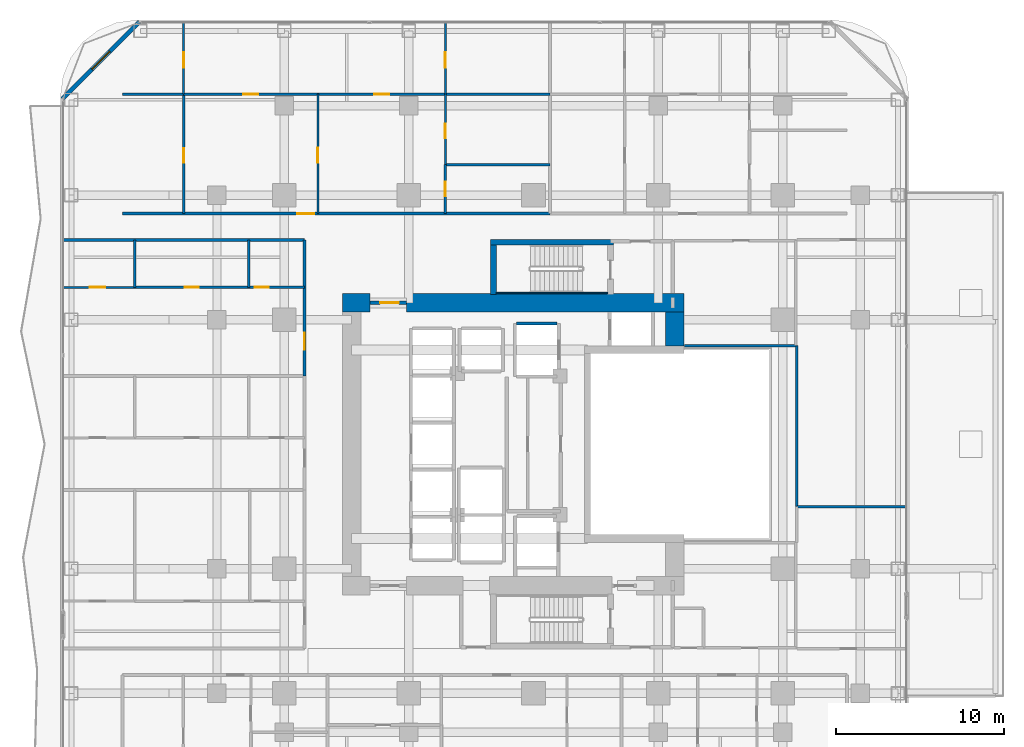
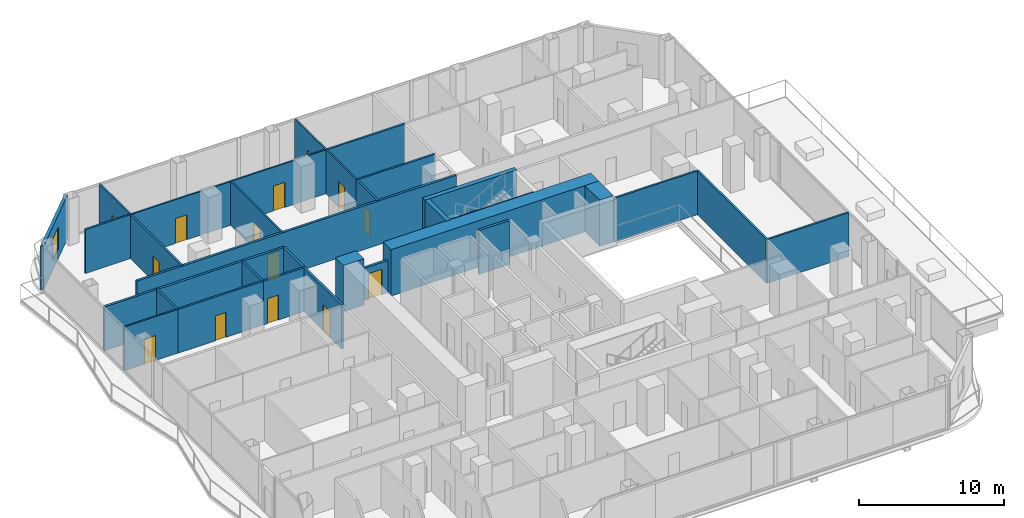
# One storey, part 23 of 29: 31 walls, 14 doors, 1 window, 15 openings.
"""IFC4 building model written with IfcOpenShell, lengths in metres."""

from ifc_helpers import new_model, si_unit, direction, frame, frame_2d, origin, place, context, subcontext, project, spatial, rectangle, extrude, material, layer, layer_set, type_object, element, fill, save


model = new_model("IFC4")

# Units and contexts
model_context = context("Model", 3, precision=1e-05, world=origin(), true_north=direction((0.0, 1.0)))
body_context = subcontext(model_context, "Body", "Model", "MODEL_VIEW")
ifc_project = project(units=[si_unit("LENGTHUNIT", "METRE"), si_unit("AREAUNIT", "SQUARE_METRE"), si_unit("VOLUMEUNIT", "CUBIC_METRE"), si_unit("PLANEANGLEUNIT", "RADIAN"), si_unit("MASSUNIT", "GRAM", prefix="KILO")], contexts=[model_context])

# Site, building, storey
site_placement = place(None, origin())
site = spatial("IfcSite", under=ifc_project, at=site_placement, CompositionType="ELEMENT")
building_placement = place(site_placement, origin())
building = spatial("IfcBuilding", under=site, at=building_placement, Name="Khorvyn Point Tower", CompositionType="ELEMENT")
storey_placement = place(building_placement, frame((0.0, 0.0, 54.0)))
storey = spatial("IfcBuildingStorey", under=building, at=storey_placement, Name="L14", CompositionType="ELEMENT", Elevation=54.0)

# Wall, opening, door
ifc_material_1 = material(Name="Double acoustic gypsum on twin steel stud", Category="steel")
ifc_layer_1 = layer(ifc_material_1, 0.179931640625)
ifc_layer_set_1 = layer_set([ifc_layer_1], Name="Acoustic Double-Stud Apartment Demising Wall 180")
wall_type_1 = type_object("IfcWallType", Name="Acoustic Double-Stud Apartment Demising Wall 180", PredefinedType="PARTITIONING", material=ifc_layer_set_1)
wall_1_placement = place(storey_placement, frame((-24.419921875, 13.699951171875, 0.0), z_axis=(0.0, 0.0, 1.0), x_axis=(1.0, 0.0, 0.0)))
wall_1 = element("IfcWall", 1, at=wall_1_placement, inside=storey, type_object=wall_type_1, Name="Wall", PredefinedType="PARTITIONING", context=body_context, shape_type="SweptSolid", body=[
    extrude(rectangle(XDim=25.39404296875, YDim=0.179931640625, at=frame_2d((12.697021484375, 0.0))), origin(), (0.0, 0.0, 1.0), 3.679931640625),
])
opening_1_placement = place(wall_1_placement, frame((10.400390625, 0.0, 0.0)))
opening_1 = element("IfcOpeningElement", 2, at=opening_1_placement, cuts=wall_1, Name="Opening ID-AP60", PredefinedType="OPENING", context=body_context, shape_type="SweptSolid", body=[
    extrude(rectangle(XDim=1.0, YDim=2.199951171875, at=frame_2d((0.5, 1.10009765625))), frame((0.0, 0.099853515625, 0.0), z_axis=(0.0, -1.0, 0.0), x_axis=(1.0, 0.0, 0.0)), (0.0, 0.0, 1.0), 0.199951171875),
])
ifc_material_2 = material(Name="Engineered hardwood fire-rated leaf", Category="wood")
door_type_1 = type_object("IfcDoorType", Name="Acoustic Solid-Core Timber Apartment Entrance Door 1000x2200", OperationType="NOTDEFINED", PredefinedType="DOOR", material=ifc_material_2)
door_1_placement = place(opening_1_placement, origin())
door_1 = element("IfcDoor", 3, at=door_1_placement, inside=storey, type_object=door_type_1, Name="Door", OperationType="SINGLE_SWING_RIGHT", OverallHeight=2.199951171875, OverallWidth=1.0, PredefinedType="DOOR", context=body_context, shape_type="SweptSolid", body=[
    extrude(rectangle(XDim=1.0, YDim=2.199951171875, at=frame_2d((0.5, 1.10009765625))), frame((0.0, 0.02490234375, 0.0), z_axis=(0.0, -1.0, 0.0), x_axis=(1.0, 0.0, 0.0)), (0.0, 0.0, 1.0), 0.050048828125),
])
fill(opening_1, door_1)

wall_2_placement = place(storey_placement, frame((-13.60009765625, 4.0400390625, 0.0), z_axis=(0.0, 0.0, 1.0), x_axis=(0.0, 1.0, 0.0)))
wall_2 = element("IfcWall", 4, at=wall_2_placement, inside=storey, type_object=wall_type_1, Name="Wall", PredefinedType="PARTITIONING", context=body_context, shape_type="SweptSolid", body=[
    extrude(rectangle(XDim=8.080078125, YDim=0.179931640625, at=frame_2d((4.0400390625, 0.0))), origin(), (0.0, 0.0, 1.0), 3.679931640625),
])
opening_2_placement = place(wall_2_placement, frame((1.583251953125, 0.0, 0.0)))
opening_2 = element("IfcOpeningElement", 5, at=opening_2_placement, cuts=wall_2, Name="Opening ID-AP60", PredefinedType="OPENING", context=body_context, shape_type="SweptSolid", body=[
    extrude(rectangle(XDim=1.0, YDim=2.199951171875, at=frame_2d((0.5, 1.10009765625))), frame((0.0, 0.099853515625, 0.0), z_axis=(0.0, -1.0, 0.0), x_axis=(1.0, 0.0, 0.0)), (0.0, 0.0, 1.0), 0.199951171875),
])
door_2_placement = place(opening_2_placement, origin())
door_2 = element("IfcDoor", 6, at=door_2_placement, inside=storey, type_object=door_type_1, Name="Door", OperationType="SINGLE_SWING_RIGHT", OverallHeight=2.199951171875, OverallWidth=1.0, PredefinedType="DOOR", context=body_context, shape_type="SweptSolid", body=[
    extrude(rectangle(XDim=1.0, YDim=2.199951171875, at=frame_2d((0.5, 1.10009765625))), frame((0.0, 0.02490234375, 0.0), z_axis=(0.0, -1.0, 0.0), x_axis=(1.0, 0.0, 0.0)), (0.0, 0.0, 1.0), 0.050048828125),
])
fill(opening_2, door_2)

# Wall
wall_3_placement = place(storey_placement, frame((-27.929931640625, 12.1201171875, 0.0), z_axis=(0.0, 0.0, 1.0), x_axis=(1.0, 0.0, 0.0)))
element("IfcWall", 7, at=wall_3_placement, inside=storey, type_object=wall_type_1, Name="Wall", PredefinedType="PARTITIONING", context=body_context, shape_type="SweptSolid", body=[
    extrude(rectangle(XDim=14.329833984375, YDim=0.179931640625, at=frame_2d((7.1650390625, 0.0))), origin(), (0.0, 0.0, 1.0), 3.679931640625),
])

# Wall, opening, window
ifc_material_3 = material(Name="Pale anodised aluminium rainscreen on steel stud", Category="steel")
ifc_layer_2 = layer(ifc_material_3, 0.239990234375)
ifc_layer_set_2 = layer_set([ifc_layer_2], Name="Anodised Aluminium Insulated Corner Spandrel Wall 240")
wall_type_2 = type_object("IfcWallType", Name="Anodised Aluminium Insulated Corner Spandrel Wall 240", PredefinedType="SOLIDWALL", material=ifc_layer_set_2)
wall_4_placement = place(storey_placement, frame((-27.992431640625, 20.507568359375, 0.0), z_axis=(0.0, 0.0, 1.0), x_axis=(0.707106781187, 0.707106781187, 0.0)))
wall_4 = element("IfcWall", 8, at=wall_4_placement, inside=storey, type_object=wall_type_2, Name="L14 Rounded Corner Wall NW", PredefinedType="SOLIDWALL", context=body_context, shape_type="SweptSolid", body=[
    extrude(rectangle(XDim=6.48388671875, YDim=0.239990234375, at=frame_2d((3.241943359375, 0.0))), origin(), (0.0, 0.0, 1.0), 3.679931640625),
])
opening_3_placement = place(wall_4_placement, frame((2.491943359375, 0.0, 0.800048828125)))
opening_3 = element("IfcOpeningElement", 9, at=opening_3_placement, cuts=wall_4, Name="Opening WN-1518", PredefinedType="OPENING", context=body_context, shape_type="SweptSolid", body=[
    extrude(rectangle(XDim=1.5, YDim=1.85009765625, at=frame_2d((0.75, 0.925048828125))), frame((0.0, 0.1298828125, 0.0), z_axis=(0.0, -1.0, 0.0), x_axis=(1.0, 0.0, 0.0)), (0.0, 0.0, 1.0), 0.260009765625),
])
ifc_material_4 = material(Name="Anodised aluminium 6063-T6 and laminated Low-E glass", Category="aluminium")
window_type = type_object("IfcWindowType", Name="Anodised Aluminium Rounded-Corner Panoramic Window 1500x1850", PartitioningType="SINGLE_PANEL", PredefinedType="WINDOW", material=ifc_material_4)
window_placement = place(opening_3_placement, origin())
window = element("IfcWindow", 10, at=window_placement, inside=storey, type_object=window_type, Name="L14 Corner Panoramic Window NW", OverallHeight=1.85009765625, OverallWidth=1.5, PartitioningType="SINGLE_PANEL", PredefinedType="WINDOW", context=body_context, shape_type="SweptSolid", body=[
    extrude(rectangle(XDim=1.5, YDim=1.85009765625, at=frame_2d((0.75, 0.925048828125))), frame((0.0, 0.030029296875, 0.0), z_axis=(0.0, -1.0, 0.0), x_axis=(1.0, 0.0, 0.0)), (0.0, 0.0, 1.0), 0.06005859375),
])
fill(opening_3, window)

# Wall, opening, door
ifc_material_5 = material(Name="Concrete C40/50", Category="concrete")
ifc_layer_3 = layer(ifc_material_5, 0.199951171875)
ifc_layer_set_3 = layer_set([ifc_layer_3], Name="Concrete C40/50 Fire-Lobby Compartment Wall 200")
wall_type_3 = type_object("IfcWallType", Name="Concrete C40/50 Fire-Lobby Compartment Wall 200", PredefinedType="SOLIDWALL", material=ifc_layer_set_3)
wall_5_placement = place(storey_placement, frame((-9.699951171875, 8.39990234375, 0.0), z_axis=(0.0, 0.0, 1.0), x_axis=(1.0, 0.0, 0.0)))
wall_5 = element("IfcWall", 11, at=wall_5_placement, inside=storey, type_object=wall_type_3, Name="Wall", PredefinedType="SOLIDWALL", context=body_context, shape_type="SweptSolid", body=[
    extrude(rectangle(XDim=2.14990234375, YDim=0.199951171875, at=frame_2d((1.074951171875, 0.0))), origin(), (0.0, 0.0, 1.0), 2.719970703125),
])
opening_4_placement = place(wall_5_placement, frame((0.597900390625, 0.0, 0.0)))
opening_4 = element("IfcOpeningElement", 12, at=opening_4_placement, cuts=wall_5, Name="Opening ID-FL90", PredefinedType="OPENING", context=body_context, shape_type="SweptSolid", body=[
    extrude(rectangle(XDim=1.10009765625, YDim=2.14990234375, at=frame_2d((0.550048828125, 1.074951171875))), frame((0.0, 0.10986328125, 0.0), z_axis=(0.0, -1.0, 0.0), x_axis=(1.0, 0.0, 0.0)), (0.0, 0.0, 1.0), 0.219970703125),
])
ifc_material_6 = material(Name="Galvanised powder-coated steel", Category="steel")
door_type_2 = type_object("IfcDoorType", Name="Fire-Rated Steel Lobby and Stair Door 1100x2150", OperationType="NOTDEFINED", PredefinedType="DOOR", material=ifc_material_6)
door_3_placement = place(opening_4_placement, origin())
door_3 = element("IfcDoor", 13, at=door_3_placement, inside=storey, type_object=door_type_2, Name="Door", OperationType="SINGLE_SWING_LEFT", OverallHeight=2.14990234375, OverallWidth=1.10009765625, PredefinedType="DOOR", context=body_context, shape_type="SweptSolid", body=[
    extrude(rectangle(XDim=1.10009765625, YDim=2.14990234375, at=frame_2d((0.550048828125, 1.074951171875))), frame((0.0, 0.02490234375, 0.0), z_axis=(0.0, -1.0, 0.0), x_axis=(1.0, 0.0, 0.0)), (0.0, 0.0, 1.0), 0.050048828125),
])
fill(opening_4, door_3)

# Walls
ifc_layer_4 = layer(ifc_material_5, 0.25)
ifc_layer_set_4 = layer_set([ifc_layer_4], Name="Concrete C40/50 Stair Inner Cheek Structural Wall 250")
wall_type_4 = type_object("IfcWallType", Name="Concrete C40/50 Stair Inner Cheek Structural Wall 250", PredefinedType="SHEAR", material=ifc_layer_set_4)
wall_6_placement = place(storey_placement, frame((-2.199951171875, 8.987548828125, 0.0), z_axis=(0.0, 0.0, 1.0), x_axis=(1.0, 0.0, 0.0)))
element("IfcWall", 14, at=wall_6_placement, inside=storey, type_object=wall_type_4, Name="Wall", PredefinedType="SHEAR", context=body_context, shape_type="SweptSolid", body=[
    extrude(rectangle(XDim=6.599853515625, YDim=0.074951171875, at=frame_2d((3.2998046875, 0.0))), origin(), (0.0, 0.0, 1.0), 3.89990234375),
])
ifc_layer_5 = layer(ifc_material_5, 0.35009765625)
ifc_layer_set_5 = layer_set([ifc_layer_5], Name="Concrete C40/50 Stair Shaft Structural Wall 350")
wall_type_5 = type_object("IfcWallType", Name="Concrete C40/50 Stair Shaft Structural Wall 350", PredefinedType="SHEAR", material=ifc_layer_set_5)
wall_7_placement = place(storey_placement, frame((-2.554931640625, 12.0, 0.0), z_axis=(0.0, 0.0, 1.0), x_axis=(1.0, 0.0, 0.0)))
element("IfcWall", 15, at=wall_7_placement, inside=storey, type_object=wall_type_5, Name="L14 ST-02 North Shaft Wall", PredefinedType="SHEAR", context=body_context, shape_type="SweptSolid", body=[
    extrude(rectangle(XDim=7.309814453125, YDim=0.35009765625, at=frame_2d((3.65478515625, 0.0))), origin(), (0.0, 0.0, 1.0), 3.89990234375),
])
wall_8_placement = place(storey_placement, frame((-2.3798828125, 8.89990234375, 0.0), z_axis=(0.0, 0.0, 1.0), x_axis=(0.0, 1.0, 0.0)))
element("IfcWall", 16, at=wall_8_placement, inside=storey, type_object=wall_type_5, Name="L14 ST-02 West Shaft Wall", PredefinedType="SHEAR", context=body_context, shape_type="SweptSolid", body=[
    extrude(rectangle(XDim=2.925048828125, YDim=0.35009765625, at=frame_2d((1.46240234375, 0.0))), origin(), (0.0, 0.0, 1.0), 3.89990234375),
])
ifc_layer_6 = layer(ifc_material_5, 0.199951171875)
ifc_layer_set_6 = layer_set([ifc_layer_6], Name="Concrete C40/50 Structural Hoistway and Stair Shaft Wall 200")
wall_type_6 = type_object("IfcWallType", Name="Concrete C40/50 Structural Hoistway and Stair Shaft Wall 200", PredefinedType="SHEAR", material=ifc_layer_set_6)
wall_9_placement = place(storey_placement, frame((-1.0, 7.175048828125, 0.0), z_axis=(0.0, 0.0, 1.0), x_axis=(1.0, 0.0, 0.0)))
element("IfcWall", 17, at=wall_9_placement, inside=storey, type_object=wall_type_6, Name="Wall", PredefinedType="SHEAR", context=body_context, shape_type="SweptSolid", body=[
    extrude(rectangle(XDim=2.39990234375, YDim=0.199951171875, at=frame_2d((1.199951171875, 0.0))), origin(), (0.0, 0.0, 1.0), 3.679931640625),
])
ifc_material_7 = material(Name="Concrete C50/60", Category="concrete")
ifc_layer_7 = layer(ifc_material_7, 1.10009765625)
ifc_layer_set_7 = layer_set([ifc_layer_7], Name="Concrete C50/60 Core Shear Wall 1100")
wall_type_7 = type_object("IfcWallType", Name="Concrete C50/60 Core Shear Wall 1100", PredefinedType="SHEAR", material=ifc_layer_set_7)
wall_10_placement = place(storey_placement, frame((-11.35009765625, 8.39990234375, 0.0), z_axis=(0.0, 0.0, 1.0), x_axis=(1.0, 0.0, 0.0)))
element("IfcWall", 18, at=wall_10_placement, inside=storey, type_object=wall_type_7, Name="Wall", PredefinedType="SHEAR", context=body_context, shape_type="SweptSolid", body=[
    extrude(rectangle(XDim=1.650146484375, YDim=1.10009765625, at=frame_2d((0.8251953125, 0.0))), origin(), (0.0, 0.0, 1.0), 3.89990234375),
])
wall_11_placement = place(storey_placement, frame((-7.550048828125, 8.39990234375, 0.0), z_axis=(0.0, 0.0, 1.0), x_axis=(1.0, 0.0, 0.0)))
element("IfcWall", 19, at=wall_11_placement, inside=storey, type_object=wall_type_7, Name="Wall", PredefinedType="SHEAR", context=body_context, shape_type="SweptSolid", body=[
    extrude(rectangle(XDim=16.5, YDim=1.10009765625, at=frame_2d((8.25, 0.0))), origin(), (0.0, 0.0, 1.0), 3.89990234375),
])
wall_12_placement = place(storey_placement, frame((8.39990234375, 5.824951171875, 0.0), z_axis=(0.0, 0.0, 1.0), x_axis=(0.0, 1.0, 0.0)))
element("IfcWall", 20, at=wall_12_placement, inside=storey, type_object=wall_type_7, Name="Wall", PredefinedType="SHEAR", context=body_context, shape_type="SweptSolid", body=[
    extrude(rectangle(XDim=2.025146484375, YDim=1.10009765625, at=frame_2d((1.0126953125, 0.0))), origin(), (0.0, 0.0, 1.0), 3.89990234375),
])

# Wall, opening, door
ifc_material_8 = material(Name="Gypsum plasterboard on steel stud", Category="steel")
ifc_layer_8 = layer(ifc_material_8, 0.1201171875)
ifc_layer_set_8 = layer_set([ifc_layer_8], Name="Gypsum Acoustic Stud Room Partition Wall 120")
wall_type_8 = type_object("IfcWallType", Name="Gypsum Acoustic Stud Room Partition Wall 120", PredefinedType="PARTITIONING", material=ifc_layer_set_8)
wall_13_placement = place(storey_placement, frame((-20.77587890625, 20.7900390625, 0.0), z_axis=(0.0, 0.0, 1.0), x_axis=(1.0, 0.0, 0.0)))
wall_13 = element("IfcWall", 21, at=wall_13_placement, inside=storey, type_object=wall_type_8, Name="Wall", PredefinedType="PARTITIONING", context=body_context, shape_type="SweptSolid", body=[
    extrude(rectangle(XDim=7.970947265625, YDim=0.1201171875, at=frame_2d((3.9853515625, 0.0))), origin(), (0.0, 0.0, 1.0), 3.679931640625),
])
opening_5_placement = place(wall_13_placement, frame((3.535400390625, 0.0, 0.0)))
opening_5 = element("IfcOpeningElement", 22, at=opening_5_placement, cuts=wall_13, Name="Opening ID-RM90", PredefinedType="OPENING", context=body_context, shape_type="SweptSolid", body=[
    extrude(rectangle(XDim=0.89990234375, YDim=2.10009765625, at=frame_2d((0.449951171875, 1.050048828125))), frame((0.0, 0.070068359375, 0.0), z_axis=(0.0, -1.0, 0.0), x_axis=(1.0, 0.0, 0.0)), (0.0, 0.0, 1.0), 0.14013671875),
])
ifc_material_9 = material(Name="Engineered oak veneer timber", Category="wood")
door_type_3 = type_object("IfcDoorType", Name="Flush Engineered Timber Room Door 900x2100", OperationType="NOTDEFINED", PredefinedType="DOOR", material=ifc_material_9)
door_4_placement = place(opening_5_placement, origin())
door_4 = element("IfcDoor", 23, at=door_4_placement, inside=storey, type_object=door_type_3, Name="Door", OperationType="SINGLE_SWING_LEFT", OverallHeight=2.10009765625, OverallWidth=0.89990234375, PredefinedType="DOOR", context=body_context, shape_type="SweptSolid", body=[
    extrude(rectangle(XDim=0.89990234375, YDim=2.10009765625, at=frame_2d((0.449951171875, 1.050048828125))), frame((0.0, 0.02490234375, 0.0), z_axis=(0.0, -1.0, 0.0), x_axis=(1.0, 0.0, 0.0)), (0.0, 0.0, 1.0), 0.050048828125),
])
fill(opening_5, door_4)

wall_14_placement = place(storey_placement, frame((-12.804931640625, 20.7900390625, 0.0), z_axis=(0.0, 0.0, 1.0), x_axis=(1.0, 0.0, 0.0)))
wall_14 = element("IfcWall", 24, at=wall_14_placement, inside=storey, type_object=wall_type_8, Name="Wall", PredefinedType="PARTITIONING", context=body_context, shape_type="SweptSolid", body=[
    extrude(rectangle(XDim=7.572998046875, YDim=0.1201171875, at=frame_2d((3.78662109375, 0.0))), origin(), (0.0, 0.0, 1.0), 3.679931640625),
])
opening_6_placement = place(wall_14_placement, frame((3.33642578125, 0.0, 0.0)))
opening_6 = element("IfcOpeningElement", 25, at=opening_6_placement, cuts=wall_14, Name="Opening ID-RM90", PredefinedType="OPENING", context=body_context, shape_type="SweptSolid", body=[
    extrude(rectangle(XDim=0.89990234375, YDim=2.10009765625, at=frame_2d((0.449951171875, 1.050048828125))), frame((0.0, 0.070068359375, 0.0), z_axis=(0.0, -1.0, 0.0), x_axis=(1.0, 0.0, 0.0)), (0.0, 0.0, 1.0), 0.14013671875),
])
door_5_placement = place(opening_6_placement, origin())
door_5 = element("IfcDoor", 26, at=door_5_placement, inside=storey, type_object=door_type_3, Name="Door", OperationType="SINGLE_SWING_RIGHT", OverallHeight=2.10009765625, OverallWidth=0.89990234375, PredefinedType="DOOR", context=body_context, shape_type="SweptSolid", body=[
    extrude(rectangle(XDim=0.89990234375, YDim=2.10009765625, at=frame_2d((0.449951171875, 1.050048828125))), frame((0.0, 0.02490234375, 0.0), z_axis=(0.0, -1.0, 0.0), x_axis=(1.0, 0.0, 0.0)), (0.0, 0.0, 1.0), 0.050048828125),
])
fill(opening_6, door_5)

wall_15_placement = place(storey_placement, frame((-12.804931640625, 13.699951171875, 0.0), z_axis=(0.0, 0.0, 1.0), x_axis=(0.0, 1.0, 0.0)))
wall_15 = element("IfcWall", 27, at=wall_15_placement, inside=storey, type_object=wall_type_8, Name="Wall", PredefinedType="PARTITIONING", context=body_context, shape_type="SweptSolid", body=[
    extrude(rectangle(XDim=7.090087890625, YDim=0.1201171875, at=frame_2d((3.544921875, 0.0))), origin(), (0.0, 0.0, 1.0), 3.679931640625),
])
opening_7_placement = place(wall_15_placement, frame((3.006103515625, 0.0, 0.0)))
opening_7 = element("IfcOpeningElement", 28, at=opening_7_placement, cuts=wall_15, Name="Opening ID-RM90", PredefinedType="OPENING", context=body_context, shape_type="SweptSolid", body=[
    extrude(rectangle(XDim=0.89990234375, YDim=2.10009765625, at=frame_2d((0.449951171875, 1.050048828125))), frame((0.0, 0.070068359375, 0.0), z_axis=(0.0, -1.0, 0.0), x_axis=(1.0, 0.0, 0.0)), (0.0, 0.0, 1.0), 0.14013671875),
])
door_6_placement = place(opening_7_placement, origin())
door_6 = element("IfcDoor", 29, at=door_6_placement, inside=storey, type_object=door_type_3, Name="Door", OperationType="SINGLE_SWING_LEFT", OverallHeight=2.10009765625, OverallWidth=0.89990234375, PredefinedType="DOOR", context=body_context, shape_type="SweptSolid", body=[
    extrude(rectangle(XDim=0.89990234375, YDim=2.10009765625, at=frame_2d((0.449951171875, 1.050048828125))), frame((0.0, 0.02490234375, 0.0), z_axis=(0.0, -1.0, 0.0), x_axis=(1.0, 0.0, 0.0)), (0.0, 0.0, 1.0), 0.050048828125),
])
fill(opening_7, door_6)

wall_16_placement = place(storey_placement, frame((-20.77587890625, 20.7900390625, 0.0), z_axis=(0.0, 0.0, 1.0), x_axis=(0.0, 1.0, 0.0)))
wall_16 = element("IfcWall", 30, at=wall_16_placement, inside=storey, type_object=wall_type_8, Name="Wall", PredefinedType="PARTITIONING", context=body_context, shape_type="SweptSolid", body=[
    extrude(rectangle(XDim=4.239990234375, YDim=0.1201171875, at=frame_2d((2.1201171875, 0.0))), origin(), (0.0, 0.0, 1.0), 3.679931640625),
])
opening_8_placement = place(wall_16_placement, frame((1.581298828125, 0.0, 0.0)))
opening_8 = element("IfcOpeningElement", 31, at=opening_8_placement, cuts=wall_16, Name="Opening ID-RM90", PredefinedType="OPENING", context=body_context, shape_type="SweptSolid", body=[
    extrude(rectangle(XDim=0.89990234375, YDim=2.10009765625, at=frame_2d((0.449951171875, 1.050048828125))), frame((0.0, 0.070068359375, 0.0), z_axis=(0.0, -1.0, 0.0), x_axis=(1.0, 0.0, 0.0)), (0.0, 0.0, 1.0), 0.14013671875),
])
door_7_placement = place(opening_8_placement, origin())
door_7 = element("IfcDoor", 32, at=door_7_placement, inside=storey, type_object=door_type_3, Name="Door", OperationType="SINGLE_SWING_LEFT", OverallHeight=2.10009765625, OverallWidth=0.89990234375, PredefinedType="DOOR", context=body_context, shape_type="SweptSolid", body=[
    extrude(rectangle(XDim=0.89990234375, YDim=2.10009765625, at=frame_2d((0.449951171875, 1.050048828125))), frame((0.0, 0.02490234375, 0.0), z_axis=(0.0, -1.0, 0.0), x_axis=(1.0, 0.0, 0.0)), (0.0, 0.0, 1.0), 0.050048828125),
])
fill(opening_8, door_7)

wall_17_placement = place(storey_placement, frame((-5.23193359375, 16.60693359375, 0.0), z_axis=(0.0, 0.0, 1.0), x_axis=(0.0, 1.0, 0.0)))
wall_17 = element("IfcWall", 33, at=wall_17_placement, inside=storey, type_object=wall_type_8, Name="Wall", PredefinedType="PARTITIONING", context=body_context, shape_type="SweptSolid", body=[
    extrude(rectangle(XDim=4.18310546875, YDim=0.1201171875, at=frame_2d((2.091552734375, 0.0))), origin(), (0.0, 0.0, 1.0), 3.679931640625),
])
opening_9_placement = place(wall_17_placement, frame((1.577880859375, 0.0, 0.0)))
opening_9 = element("IfcOpeningElement", 34, at=opening_9_placement, cuts=wall_17, Name="Opening ID-WC85", PredefinedType="OPENING", context=body_context, shape_type="SweptSolid", body=[
    extrude(rectangle(XDim=0.85009765625, YDim=2.10009765625, at=frame_2d((0.425048828125, 1.050048828125))), frame((0.0, 0.070068359375, 0.0), z_axis=(0.0, -1.0, 0.0), x_axis=(1.0, 0.0, 0.0)), (0.0, 0.0, 1.0), 0.14013671875),
])
ifc_material_10 = material(Name="High-pressure laminate on moisture-resistant core", Category="wood")
door_type_4 = type_object("IfcDoorType", Name="Moisture-Resistant Accessible Washroom Door 850x2100", OperationType="NOTDEFINED", PredefinedType="DOOR", material=ifc_material_10)
door_8_placement = place(opening_9_placement, origin())
door_8 = element("IfcDoor", 35, at=door_8_placement, inside=storey, type_object=door_type_4, Name="Door", OperationType="SINGLE_SWING_LEFT", OverallHeight=2.10009765625, OverallWidth=0.85009765625, PredefinedType="DOOR", context=body_context, shape_type="SweptSolid", body=[
    extrude(rectangle(XDim=0.85009765625, YDim=2.10009765625, at=frame_2d((0.425048828125, 1.050048828125))), frame((0.0, 0.02490234375, 0.0), z_axis=(0.0, -1.0, 0.0), x_axis=(1.0, 0.0, 0.0)), (0.0, 0.0, 1.0), 0.050048828125),
])
fill(opening_9, door_8)

wall_18_placement = place(storey_placement, frame((-5.23193359375, 20.7900390625, 0.0), z_axis=(0.0, 0.0, 1.0), x_axis=(0.0, 1.0, 0.0)))
wall_18 = element("IfcWall", 36, at=wall_18_placement, inside=storey, type_object=wall_type_8, Name="Wall", PredefinedType="PARTITIONING", context=body_context, shape_type="SweptSolid", body=[
    extrude(rectangle(XDim=4.239990234375, YDim=0.1201171875, at=frame_2d((2.1201171875, 0.0))), origin(), (0.0, 0.0, 1.0), 3.679931640625),
])
opening_10_placement = place(wall_18_placement, frame((1.581298828125, 0.0, 0.0)))
opening_10 = element("IfcOpeningElement", 37, at=opening_10_placement, cuts=wall_18, Name="Opening ID-RM90", PredefinedType="OPENING", context=body_context, shape_type="SweptSolid", body=[
    extrude(rectangle(XDim=0.89990234375, YDim=2.10009765625, at=frame_2d((0.449951171875, 1.050048828125))), frame((0.0, 0.070068359375, 0.0), z_axis=(0.0, -1.0, 0.0), x_axis=(1.0, 0.0, 0.0)), (0.0, 0.0, 1.0), 0.14013671875),
])
door_9_placement = place(opening_10_placement, origin())
door_9 = element("IfcDoor", 38, at=door_9_placement, inside=storey, type_object=door_type_3, Name="Door", OperationType="SINGLE_SWING_RIGHT", OverallHeight=2.10009765625, OverallWidth=0.89990234375, PredefinedType="DOOR", context=body_context, shape_type="SweptSolid", body=[
    extrude(rectangle(XDim=0.89990234375, YDim=2.10009765625, at=frame_2d((0.449951171875, 1.050048828125))), frame((0.0, 0.02490234375, 0.0), z_axis=(0.0, -1.0, 0.0), x_axis=(1.0, 0.0, 0.0)), (0.0, 0.0, 1.0), 0.050048828125),
])
fill(opening_10, door_9)

wall_19_placement = place(storey_placement, frame((-27.929931640625, 9.320068359375, 0.0), z_axis=(0.0, 0.0, 1.0), x_axis=(1.0, 0.0, 0.0)))
wall_19 = element("IfcWall", 39, at=wall_19_placement, inside=storey, type_object=wall_type_8, Name="Wall", PredefinedType="PARTITIONING", context=body_context, shape_type="SweptSolid", body=[
    extrude(rectangle(XDim=4.239990234375, YDim=0.1201171875, at=frame_2d((2.1201171875, 0.0))), origin(), (0.0, 0.0, 1.0), 3.679931640625),
])
opening_11_placement = place(wall_19_placement, frame((1.581298828125, 0.0, 0.0)))
opening_11 = element("IfcOpeningElement", 40, at=opening_11_placement, cuts=wall_19, Name="Opening ID-RM90", PredefinedType="OPENING", context=body_context, shape_type="SweptSolid", body=[
    extrude(rectangle(XDim=0.89990234375, YDim=2.10009765625, at=frame_2d((0.449951171875, 1.050048828125))), frame((0.0, 0.070068359375, 0.0), z_axis=(0.0, -1.0, 0.0), x_axis=(1.0, 0.0, 0.0)), (0.0, 0.0, 1.0), 0.14013671875),
])
door_10_placement = place(opening_11_placement, origin())
door_10 = element("IfcDoor", 41, at=door_10_placement, inside=storey, type_object=door_type_3, Name="Door", OperationType="SINGLE_SWING_LEFT", OverallHeight=2.10009765625, OverallWidth=0.89990234375, PredefinedType="DOOR", context=body_context, shape_type="SweptSolid", body=[
    extrude(rectangle(XDim=0.89990234375, YDim=2.10009765625, at=frame_2d((0.449951171875, 1.050048828125))), frame((0.0, 0.02490234375, 0.0), z_axis=(0.0, -1.0, 0.0), x_axis=(1.0, 0.0, 0.0)), (0.0, 0.0, 1.0), 0.050048828125),
])
fill(opening_11, door_10)

ifc_material_11 = material(Name="Moisture-resistant gypsum and cement board", Category="gypsum")
ifc_layer_9 = layer(ifc_material_11, 0.14990234375)
ifc_layer_set_9 = layer_set([ifc_layer_9], Name="Moisture-Resistant Wet-Room Partition Wall 150")
wall_type_9 = type_object("IfcWallType", Name="Moisture-Resistant Wet-Room Partition Wall 150", PredefinedType="PARTITIONING", material=ifc_layer_set_9)
wall_20_placement = place(storey_placement, frame((-20.77587890625, 13.699951171875, 0.0), z_axis=(0.0, 0.0, 1.0), x_axis=(0.0, 1.0, 0.0)))
wall_20 = element("IfcWall", 42, at=wall_20_placement, inside=storey, type_object=wall_type_9, Name="Wall", PredefinedType="PARTITIONING", context=body_context, shape_type="SweptSolid", body=[
    extrude(rectangle(XDim=7.090087890625, YDim=0.14990234375, at=frame_2d((3.544921875, 0.0))), origin(), (0.0, 0.0, 1.0), 3.679931640625),
])
opening_12_placement = place(wall_20_placement, frame((3.0302734375, 0.0, 0.0)))
opening_12 = element("IfcOpeningElement", 43, at=opening_12_placement, cuts=wall_20, Name="Opening ID-WC85", PredefinedType="OPENING", context=body_context, shape_type="SweptSolid", body=[
    extrude(rectangle(XDim=0.85009765625, YDim=2.10009765625, at=frame_2d((0.425048828125, 1.050048828125))), frame((0.0, 0.0849609375, 0.0), z_axis=(0.0, -1.0, 0.0), x_axis=(1.0, 0.0, 0.0)), (0.0, 0.0, 1.0), 0.169921875),
])
door_11_placement = place(opening_12_placement, origin())
door_11 = element("IfcDoor", 44, at=door_11_placement, inside=storey, type_object=door_type_4, Name="Door", OperationType="SINGLE_SWING_RIGHT", OverallHeight=2.10009765625, OverallWidth=0.85009765625, PredefinedType="DOOR", context=body_context, shape_type="SweptSolid", body=[
    extrude(rectangle(XDim=0.85009765625, YDim=2.10009765625, at=frame_2d((0.425048828125, 1.050048828125))), frame((0.0, 0.02490234375, 0.0), z_axis=(0.0, -1.0, 0.0), x_axis=(1.0, 0.0, 0.0)), (0.0, 0.0, 1.0), 0.050048828125),
])
fill(opening_12, door_11)

wall_21_placement = place(storey_placement, frame((-5.23193359375, 13.699951171875, 0.0), z_axis=(0.0, 0.0, 1.0), x_axis=(0.0, 1.0, 0.0)))
wall_21 = element("IfcWall", 45, at=wall_21_placement, inside=storey, type_object=wall_type_9, Name="Wall", PredefinedType="PARTITIONING", context=body_context, shape_type="SweptSolid", body=[
    extrude(rectangle(XDim=2.906982421875, YDim=0.14990234375, at=frame_2d((1.45361328125, 0.0))), origin(), (0.0, 0.0, 1.0), 3.679931640625),
])
opening_13_placement = place(wall_21_placement, frame((1.028564453125, 0.0, 0.0)))
opening_13 = element("IfcOpeningElement", 46, at=opening_13_placement, cuts=wall_21, Name="Opening ID-WC85", PredefinedType="OPENING", context=body_context, shape_type="SweptSolid", body=[
    extrude(rectangle(XDim=0.85009765625, YDim=2.10009765625, at=frame_2d((0.425048828125, 1.050048828125))), frame((0.0, 0.0849609375, 0.0), z_axis=(0.0, -1.0, 0.0), x_axis=(1.0, 0.0, 0.0)), (0.0, 0.0, 1.0), 0.169921875),
])
door_12_placement = place(opening_13_placement, origin())
door_12 = element("IfcDoor", 47, at=door_12_placement, inside=storey, type_object=door_type_4, Name="Door", OperationType="SINGLE_SWING_RIGHT", OverallHeight=2.10009765625, OverallWidth=0.85009765625, PredefinedType="DOOR", context=body_context, shape_type="SweptSolid", body=[
    extrude(rectangle(XDim=0.85009765625, YDim=2.10009765625, at=frame_2d((0.425048828125, 1.050048828125))), frame((0.0, 0.02490234375, 0.0), z_axis=(0.0, -1.0, 0.0), x_axis=(1.0, 0.0, 0.0)), (0.0, 0.0, 1.0), 0.050048828125),
])
fill(opening_13, door_12)

wall_22_placement = place(storey_placement, frame((-23.68994140625, 9.320068359375, 0.0), z_axis=(0.0, 0.0, 1.0), x_axis=(1.0, 0.0, 0.0)))
wall_22 = element("IfcWall", 48, at=wall_22_placement, inside=storey, type_object=wall_type_9, Name="Wall", PredefinedType="PARTITIONING", context=body_context, shape_type="SweptSolid", body=[
    extrude(rectangle(XDim=6.787841796875, YDim=0.14990234375, at=frame_2d((3.39404296875, 0.0))), origin(), (0.0, 0.0, 1.0), 3.679931640625),
])
opening_14_placement = place(wall_22_placement, frame((2.968994140625, 0.0, 0.0)))
opening_14 = element("IfcOpeningElement", 49, at=opening_14_placement, cuts=wall_22, Name="Opening ID-WC85", PredefinedType="OPENING", context=body_context, shape_type="SweptSolid", body=[
    extrude(rectangle(XDim=0.85009765625, YDim=2.10009765625, at=frame_2d((0.425048828125, 1.050048828125))), frame((0.0, 0.0849609375, 0.0), z_axis=(0.0, -1.0, 0.0), x_axis=(1.0, 0.0, 0.0)), (0.0, 0.0, 1.0), 0.169921875),
])
door_13_placement = place(opening_14_placement, origin())
door_13 = element("IfcDoor", 50, at=door_13_placement, inside=storey, type_object=door_type_4, Name="Door", OperationType="SINGLE_SWING_LEFT", OverallHeight=2.10009765625, OverallWidth=0.85009765625, PredefinedType="DOOR", context=body_context, shape_type="SweptSolid", body=[
    extrude(rectangle(XDim=0.85009765625, YDim=2.10009765625, at=frame_2d((0.425048828125, 1.050048828125))), frame((0.0, 0.02490234375, 0.0), z_axis=(0.0, -1.0, 0.0), x_axis=(1.0, 0.0, 0.0)), (0.0, 0.0, 1.0), 0.050048828125),
])
fill(opening_14, door_13)

wall_23_placement = place(storey_placement, frame((-16.902099609375, 9.320068359375, 0.0), z_axis=(0.0, 0.0, 1.0), x_axis=(1.0, 0.0, 0.0)))
wall_23 = element("IfcWall", 51, at=wall_23_placement, inside=storey, type_object=wall_type_9, Name="Wall", PredefinedType="PARTITIONING", context=body_context, shape_type="SweptSolid", body=[
    extrude(rectangle(XDim=3.302001953125, YDim=0.14990234375, at=frame_2d((1.65087890625, 0.0))), origin(), (0.0, 0.0, 1.0), 3.679931640625),
])
opening_15_placement = place(wall_23_placement, frame((0.337646484375, 0.0, 0.0)))
opening_15 = element("IfcOpeningElement", 52, at=opening_15_placement, cuts=wall_23, Name="Opening ID-WC85", PredefinedType="OPENING", context=body_context, shape_type="SweptSolid", body=[
    extrude(rectangle(XDim=0.85009765625, YDim=2.10009765625, at=frame_2d((0.425048828125, 1.050048828125))), frame((0.0, 0.0849609375, 0.0), z_axis=(0.0, -1.0, 0.0), x_axis=(1.0, 0.0, 0.0)), (0.0, 0.0, 1.0), 0.169921875),
])
door_14_placement = place(opening_15_placement, origin())
door_14 = element("IfcDoor", 53, at=door_14_placement, inside=storey, type_object=door_type_4, Name="Door", OperationType="SINGLE_SWING_RIGHT", OverallHeight=2.10009765625, OverallWidth=0.85009765625, PredefinedType="DOOR", context=body_context, shape_type="SweptSolid", body=[
    extrude(rectangle(XDim=0.85009765625, YDim=2.10009765625, at=frame_2d((0.425048828125, 1.050048828125))), frame((0.0, 0.02490234375, 0.0), z_axis=(0.0, -1.0, 0.0), x_axis=(1.0, 0.0, 0.0)), (0.0, 0.0, 1.0), 0.050048828125),
])
fill(opening_15, door_14)

# Walls
wall_24_placement = place(storey_placement, frame((8.9599609375, 5.85009765625, 0.0), z_axis=(0.0, 0.0, 1.0), x_axis=(1.0, 0.0, 0.0)))
element("IfcWall", 54, at=wall_24_placement, inside=storey, type_object=wall_type_9, Name="Wall", PredefinedType="PARTITIONING", context=body_context, shape_type="SweptSolid", body=[
    extrude(rectangle(XDim=6.6201171875, YDim=0.14990234375, at=frame_2d((3.31005859375, 0.0))), origin(), (0.0, 0.0, 1.0), 3.679931640625),
])
wall_25_placement = place(storey_placement, frame((-24.419921875, 20.7900390625, 0.0), z_axis=(0.0, 0.0, 1.0), x_axis=(1.0, 0.0, 0.0)))
element("IfcWall", 55, at=wall_25_placement, inside=storey, type_object=wall_type_9, Name="Wall", PredefinedType="PARTITIONING", context=body_context, shape_type="SweptSolid", body=[
    extrude(rectangle(XDim=3.64404296875, YDim=0.14990234375, at=frame_2d((1.822021484375, 0.0))), origin(), (0.0, 0.0, 1.0), 3.679931640625),
])
for number, where, z_axis, x_axis, name in (
    (56, (-5.23193359375, 16.60693359375, 0.0), (0.0, 0.0, 1.0), (1.0, 0.0, 0.0), "Wall"),
    (57, (-5.23193359375, 20.7900390625, 0.0), (0.0, 0.0, 1.0), (1.0, 0.0, 0.0), "Wall"),
):
    element("IfcWall", number, at=place(storey_placement, frame(where, z_axis=z_axis, x_axis=x_axis)), inside=storey, type_object=wall_type_9, Name=name, PredefinedType="PARTITIONING", context=body_context, shape_type="SweptSolid", body=[
        extrude(rectangle(XDim=6.2060546875, YDim=0.14990234375, at=frame_2d((3.10302734375, 0.0))), origin(), (0.0, 0.0, 1.0), 3.679931640625),
    ])
for number, where, z_axis, x_axis, name in (
    (58, (-16.902099609375, 9.320068359375, 0.0), (0.0, 0.0, 1.0), (0.0, 1.0, 0.0), "Wall"),
    (59, (-23.68994140625, 9.320068359375, 0.0), (0.0, 0.0, 1.0), (0.0, 1.0, 0.0), "Wall"),
):
    element("IfcWall", number, at=place(storey_placement, frame(where, z_axis=z_axis, x_axis=x_axis)), inside=storey, type_object=wall_type_9, Name=name, PredefinedType="PARTITIONING", context=body_context, shape_type="SweptSolid", body=[
        extrude(rectangle(XDim=2.800048828125, YDim=0.14990234375, at=frame_2d((1.39990234375, 0.0))), origin(), (0.0, 0.0, 1.0), 3.679931640625),
    ])
wall_26_placement = place(storey_placement, frame((15.64990234375, -3.699951171875, 0.0), z_axis=(0.0, 0.0, 1.0), x_axis=(0.0, 1.0, 0.0)))
element("IfcWall", 60, at=wall_26_placement, inside=storey, type_object=wall_type_9, Name="Wall", PredefinedType="PARTITIONING", context=body_context, shape_type="SweptSolid", body=[
    extrude(rectangle(XDim=9.550048828125, YDim=0.14990234375, at=frame_2d((4.77490234375, 0.0))), origin(), (0.0, 0.0, 1.0), 3.679931640625),
])
wall_27_placement = place(storey_placement, frame((15.64990234375, -3.699951171875, 0.0), z_axis=(0.0, 0.0, 1.0), x_axis=(1.0, 0.0, 0.0)))
element("IfcWall", 61, at=wall_27_placement, inside=storey, type_object=wall_type_9, Name="Wall", PredefinedType="PARTITIONING", context=body_context, shape_type="SweptSolid", body=[
    extrude(rectangle(XDim=6.47998046875, YDim=0.14990234375, at=frame_2d((3.239990234375, 0.0))), origin(), (0.0, 0.0, 1.0), 3.679931640625),
])

save(model, "model.ifc")
